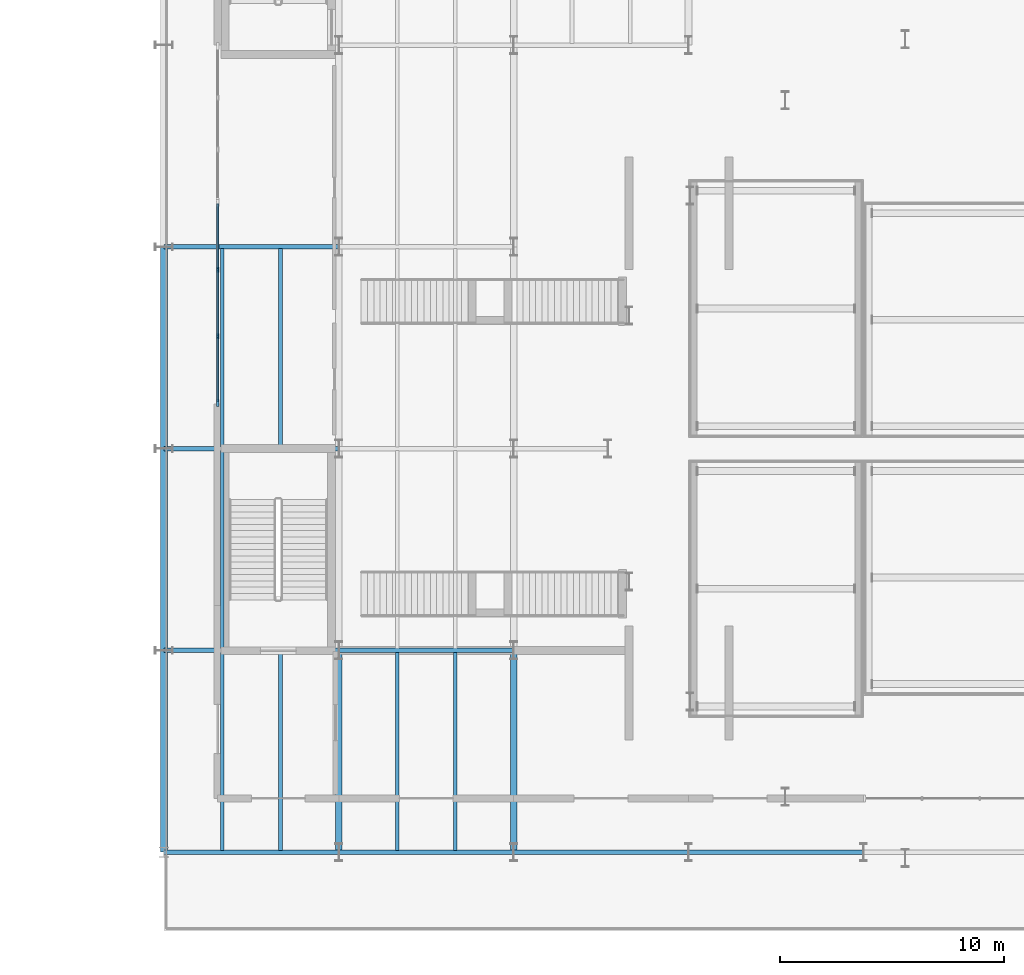
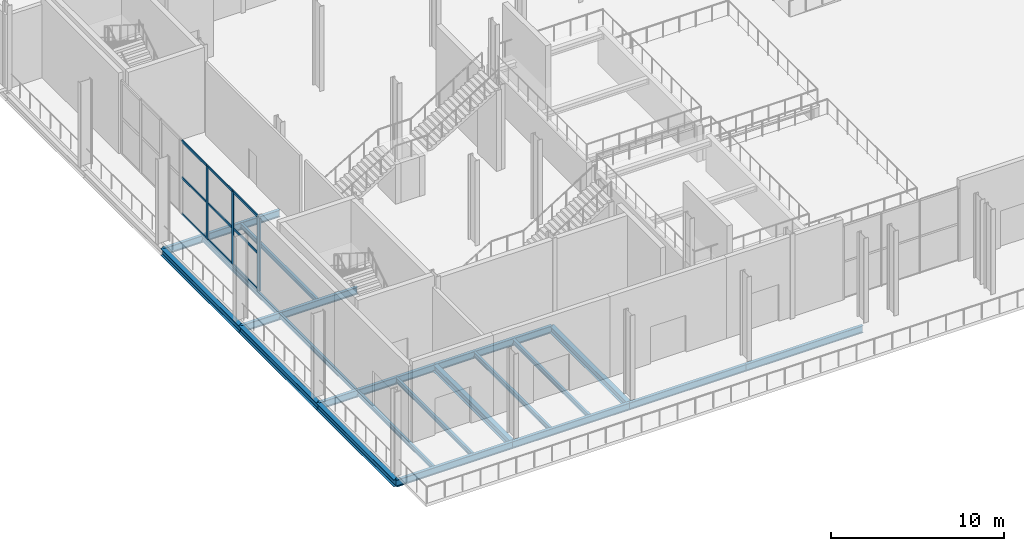
# One storey, part 17 of 84: 20 beams, 12 members, 1 element without a shape of its own.
"""IFC4 building model written with IfcOpenShell, lengths in metres."""

import ifcopenshell
import ifcopenshell.guid

model = None  # the IFC model being written
_history = None  # IfcOwnerHistory: only IFC2X3 demands one
_inside = {}  # id of a spatial element -> (the spatial element, [elements in it])
_under = {}  # id of a project, library or spatial element -> (it, [spatial elements below it])
_declared = {}  # id of a project -> (the project, [libraries it declares])
_typed = {}  # id of a type object -> (the type object, [elements of that type])
_made_of = {}  # id of a material, layer set ... -> (it, [elements and type objects made of it])


def new_model(schema):
    """Start an empty IFC model of exactly this schema.

    Asked for "IFC4X3", IfcOpenShell would pick the latest addendum, in which some entities
    have other attributes; the version numbers below select the first issue.
    IFC2X3 requires an IfcOwnerHistory on every rooted entity: one is made here for all.
    """
    global model, _history
    if schema == "IFC4X3":
        model = ifcopenshell.file(schema_version=(4, 3, 0, 0))
    else:
        model = ifcopenshell.file(schema=schema)
    _inside.clear()
    _under.clear()
    _declared.clear()
    _typed.clear()
    _made_of.clear()
    _history = None
    if model.schema == "IFC2X3":
        org = make("IfcOrganization", Name="unknown")
        user = make(
            "IfcPersonAndOrganization",
            ThePerson=make("IfcPerson", FamilyName="unknown"),
            TheOrganization=org,
        )
        app = make(
            "IfcApplication",
            ApplicationDeveloper=org,
            Version="unknown",
            ApplicationFullName="unknown",
            ApplicationIdentifier="unknown",
        )
        _history = make(
            "IfcOwnerHistory",
            OwningUser=user,
            OwningApplication=app,
            ChangeAction="ADDED",
            CreationDate=0,
        )
    return model


def make(cls, **values):
    """One entity of the class cls with the attributes given. An attribute that is None is left unset."""
    return model.create_entity(
        cls, **{name: value for name, value in values.items() if value is not None}
    )


def rooted(cls, **values):
    """An entity with a GlobalId (a new one), such as an element, a storey or a relation."""
    return make(cls, GlobalId=ifcopenshell.guid.new(), OwnerHistory=_history, **values)


def si_unit(unit_type, name, prefix=None):
    """IfcSIUnit, for example si_unit("LENGTHUNIT", "METRE", prefix="MILLI")."""
    return make("IfcSIUnit", UnitType=unit_type, Prefix=prefix, Name=name)


def assignment(units):
    """IfcUnitAssignment: the units of a project."""
    return None if units is None else make("IfcUnitAssignment", Units=units)


def point(xyz):
    """IfcCartesianPoint."""
    return None if xyz is None else make("IfcCartesianPoint", Coordinates=xyz)


def direction(xyz):
    """IfcDirection."""
    return None if xyz is None else make("IfcDirection", DirectionRatios=xyz)


def frame(location, z_axis=None, x_axis=None):
    """IfcAxis2Placement3D, a coordinate frame: its origin and axes. An axis left out is left unset."""
    return make(
        "IfcAxis2Placement3D",
        Location=point(location),
        Axis=direction(z_axis),
        RefDirection=direction(x_axis),
    )


def frame_2d(location, x_axis=None):
    """IfcAxis2Placement2D, a coordinate frame in the plane: its origin and x axis."""
    return make(
        "IfcAxis2Placement2D", Location=point(location), RefDirection=direction(x_axis)
    )


def origin():
    """The frame at (0, 0, 0) with its axes left unset."""
    return frame((0.0, 0.0, 0.0))


def origin_2d():
    """The frame at (0, 0) in the plane with its x axis left unset."""
    return frame_2d((0.0, 0.0))


def place(relative_to, where):
    """IfcLocalPlacement: puts the frame where relative to a parent placement (None: the world)."""
    return make(
        "IfcLocalPlacement", PlacementRelTo=relative_to, RelativePlacement=where
    )


def context(
    kind, dimensions, precision=None, world=None, true_north=None, identifier=None
):
    """IfcGeometricRepresentationContext, for example the 3D "Model" context."""
    return make(
        "IfcGeometricRepresentationContext",
        ContextIdentifier=identifier,
        ContextType=kind,
        CoordinateSpaceDimension=dimensions,
        Precision=precision,
        WorldCoordinateSystem=world,
        TrueNorth=true_north,
    )


def subcontext(parent, identifier, kind, view, scale=None):
    """IfcGeometricRepresentationSubContext, for example "Body" below "Model"."""
    return make(
        "IfcGeometricRepresentationSubContext",
        ContextIdentifier=identifier,
        ContextType=kind,
        ParentContext=parent,
        TargetScale=scale,
        TargetView=view,
    )


def project(units=None, contexts=None):
    """IfcProject with its units and contexts."""
    return rooted(
        "IfcProject",
        Name="project",
        RepresentationContexts=contexts,
        UnitsInContext=assignment(units),
    )


def spatial(cls, under=None, at=None, **own):
    """A site, building, storey or space (cls), placed at a placement, below another one or the project."""
    s = rooted(cls, ObjectPlacement=at, **own)
    if under is not None:
        _under.setdefault(under.id(), (under, []))[1].append(s)
    return s


def profile(cls, at=None, kind="AREA", **sizes):
    """A parametric profile (cls). Its sizes go by their IFC names, for example OverallWidth=200.0."""
    return make(cls, ProfileType=kind, Position=at, **sizes)


def rectangle(**sizes):
    """IfcRectangleProfileDef."""
    return profile("IfcRectangleProfileDef", **sizes)


def i_section(**sizes):
    """IfcIShapeProfileDef."""
    return profile("IfcIShapeProfileDef", **sizes)


def extrude(swept, where, along, depth):
    """IfcExtrudedAreaSolid: the profile swept, set in the frame where, extruded along a direction by depth."""
    return make(
        "IfcExtrudedAreaSolid",
        SweptArea=swept,
        Position=where,
        ExtrudedDirection=direction(along),
        Depth=depth,
    )


def shape(context_of_items, identifier, shape_type, items):
    """IfcShapeRepresentation: the items that make up one representation, for example the "Body"."""
    return make(
        "IfcShapeRepresentation",
        ContextOfItems=context_of_items,
        RepresentationIdentifier=identifier,
        RepresentationType=shape_type,
        Items=items,
    )


def material(Name=None, Category=None):
    """IfcMaterial."""
    return make("IfcMaterial", Name=Name, Category=Category)


def layer(
    of_material, thickness, ventilated=None, Name=None, Category=None, Priority=None
):
    """IfcMaterialLayer: one layer of a wall or slab, of a material (None: an air gap)."""
    return make(
        "IfcMaterialLayer",
        Material=of_material,
        LayerThickness=thickness,
        IsVentilated=ventilated,
        Name=Name,
        Category=Category,
        Priority=Priority,
    )


def layer_set(layers, Name=None):
    """IfcMaterialLayerSet."""
    return make("IfcMaterialLayerSet", MaterialLayers=layers, LayerSetName=Name)


def material_profile(
    of_material, cross_section, Name=None, Category=None, Priority=None
):
    """IfcMaterialProfile: a cross section and its material."""
    return make(
        "IfcMaterialProfile",
        Name=Name,
        Material=of_material,
        Profile=cross_section,
        Priority=Priority,
        Category=Category,
    )


def profile_set(profiles, Name=None, composite=None):
    """IfcMaterialProfileSet."""
    return make(
        "IfcMaterialProfileSet",
        Name=Name,
        MaterialProfiles=profiles,
        CompositeProfile=composite,
    )


def made_of(thing, what):
    """Note that an element or type object is made of a material, layer set ...; save() writes the relation."""
    if what is not None:
        _made_of.setdefault(what.id(), (what, []))[1].append(thing)
    return thing


def type_object(cls, material=None, **own):
    """A type object (cls), such as IfcWallType, which elements share."""
    return made_of(rooted(cls, **own), material)


def element(
    cls,
    number,
    at=None,
    inside=None,
    cuts=None,
    type_object=None,
    material=None,
    context=None,
    identifier="Body",
    shape_type=None,
    held_by="IfcProductDefinitionShape",
    body=None,
    shapes=None,
    **own,
):
    """One element of the class cls, such as IfcWall. Its Tag is "e" and its number.

    at: its placement. inside: the storey or other place that contains it. cuts: it is an
    opening in that element (IfcRelVoidsElement). A single representation is given by context,
    identifier, shape_type and body (its items); several are given by shapes. held_by: the class
    of the entity that holds the representations. save() writes the other relations.
    """
    e = rooted(cls, Tag="e%d" % number, ObjectPlacement=at, **own)
    if body is not None:
        shapes = [shape(context, identifier, shape_type, body)]
    if shapes is not None:
        e.Representation = make(held_by, Representations=shapes)
    if inside is not None:
        _inside.setdefault(inside.id(), (inside, []))[1].append(e)
    if cuts is not None:
        rooted(
            "IfcRelVoidsElement", RelatingBuildingElement=cuts, RelatedOpeningElement=e
        )
    if type_object is not None:
        _typed.setdefault(type_object.id(), (type_object, []))[1].append(e)
    return made_of(e, material)


def aggregate(whole, parts):
    """IfcRelAggregates: a whole, such as a stair, and the parts it consists of."""
    return rooted("IfcRelAggregates", RelatingObject=whole, RelatedObjects=parts)


def save(model, path):
    """Write the relations noted so far, then the file.

    IfcRelAggregates (storeys below a building ...), IfcRelContainedInSpatialStructure (elements
    in a storey), IfcRelDefinesByType, IfcRelAssociatesMaterial and IfcRelDeclares: one each for
    every whole, place, type object, material and project.
    """
    for whole, parts in _under.values():
        aggregate(whole, parts)
    for where, things in _inside.values():
        rooted(
            "IfcRelContainedInSpatialStructure",
            RelatedElements=things,
            RelatingStructure=where,
        )
    for kind, things in _typed.values():
        rooted("IfcRelDefinesByType", RelatedObjects=things, RelatingType=kind)
    for what, things in _made_of.values():
        rooted("IfcRelAssociatesMaterial", RelatedObjects=things, RelatingMaterial=what)
    for by, libraries in _declared.values():
        rooted("IfcRelDeclares", RelatingContext=by, RelatedDefinitions=libraries)
    model.write(path)


model = new_model("IFC4")

# Units and contexts
model_context = context("Model", 3, precision=1e-05, world=origin(), true_north=direction((0.0, 1.0)))
body_context = subcontext(model_context, "Body", "Model", "MODEL_VIEW")
ifc_project = project(units=[si_unit("LENGTHUNIT", "METRE"), si_unit("AREAUNIT", "SQUARE_METRE"), si_unit("VOLUMEUNIT", "CUBIC_METRE"), si_unit("PLANEANGLEUNIT", "RADIAN"), si_unit("MASSUNIT", "GRAM", prefix="KILO")], contexts=[model_context])

# Site, building, storey
site_placement = place(None, origin())
site = spatial("IfcSite", under=ifc_project, at=site_placement, CompositionType="ELEMENT")
building_placement = place(site_placement, origin())
building = spatial("IfcBuilding", under=site, at=building_placement, Name="Sefraquen Railside Congress Hotel", CompositionType="ELEMENT")
storey_placement = place(building_placement, origin())
storey = spatial("IfcBuildingStorey", under=building, at=storey_placement, Name="L00", CompositionType="ELEMENT", Elevation=0.0)

# Beams
ifc_material_1 = material(Name="Steel S355JR", Category="steel")
ifc_material_profile_1 = material_profile(ifc_material_1, i_section(OverallWidth=0.199951171875, OverallDepth=0.5, WebThickness=0.01025390625, FlangeThickness=0.01611328125, FilletRadius=0.02099609375, at=origin_2d()), Name="IPE 500")
ifc_profile_set_1 = profile_set([ifc_material_profile_1], Name="Steel S355JR")
beam_type_1 = type_object("IfcBeamType", Name="TB-BM-500", PredefinedType="BEAM", material=ifc_profile_set_1)
for number, where, z_axis, x_axis, name in (
    (1, (25.199951171875, 9.0, -0.64990234375), (1.0, 0.0, 0.0), (0.0, 1.0, 0.0), "Primary girder BM-L00-0001"),
    (2, (33.0, 9.0, -0.64990234375), (1.0, 0.0, 0.0), (0.0, 1.0, 0.0), "Primary girder BM-L00-0002"),
    (3, (40.800048828125, 9.0, -0.64990234375), (1.0, 0.0, 0.0), (0.0, 1.0, 0.0), "Primary girder BM-L00-0003"),
):
    element("IfcBeam", number, at=place(storey_placement, frame(where, z_axis=z_axis, x_axis=x_axis)), inside=storey, type_object=beam_type_1, Name=name, PredefinedType="BEAM", context=body_context, shape_type="SweptSolid", body=[
        extrude(i_section(OverallWidth=0.199951171875, OverallDepth=0.5, WebThickness=0.01025390625, FlangeThickness=0.01611328125, FilletRadius=0.02099609375, at=origin_2d()), origin(), (0.0, 0.0, 1.0), 7.800048828125),
    ])
beam_placement = place(storey_placement, frame((48.60009765625, 9.0, -0.64990234375), z_axis=(1.0, 0.0, 0.0), x_axis=(0.0, 1.0, 0.0)))
element("IfcBeam", 4, at=beam_placement, inside=storey, type_object=beam_type_1, Name="Primary girder BM-L00-0004", PredefinedType="BEAM", context=body_context, shape_type="SweptSolid", body=[
    extrude(i_section(OverallWidth=0.199951171875, OverallDepth=0.5, WebThickness=0.01025390625, FlangeThickness=0.01611328125, FilletRadius=0.02099609375, at=origin_2d()), origin(), (0.0, 0.0, 1.0), 7.7998046875),
])
for number, where, z_axis, x_axis, name in (
    (5, (25.199951171875, 18.0, -0.64990234375), (1.0, 0.0, 0.0), (0.0, 1.0, 0.0), "Primary girder BM-L00-0017"),
    (6, (33.0, 18.0, -0.64990234375), (1.0, 0.0, 0.0), (0.0, 1.0, 0.0), "Primary girder BM-L00-0018"),
    (7, (25.199951171875, 27.0, -0.64990234375), (1.0, 0.0, 0.0), (0.0, 1.0, 0.0), "Primary girder BM-L00-0027"),
    (8, (25.199951171875, 36.0, -0.64990234375), (1.0, 0.0, 0.0), (0.0, 1.0, 0.0), "Primary girder BM-L00-0034"),
):
    element("IfcBeam", number, at=place(storey_placement, frame(where, z_axis=z_axis, x_axis=x_axis)), inside=storey, type_object=beam_type_1, Name=name, PredefinedType="BEAM", context=body_context, shape_type="SweptSolid", body=[
        extrude(i_section(OverallWidth=0.199951171875, OverallDepth=0.5, WebThickness=0.01025390625, FlangeThickness=0.01611328125, FilletRadius=0.02099609375, at=origin_2d()), origin(), (0.0, 0.0, 1.0), 7.800048828125),
    ])
ifc_material_profile_2 = material_profile(ifc_material_1, i_section(OverallWidth=0.300048828125, OverallDepth=0.489990234375, WebThickness=0.011962890625, FlangeThickness=0.02294921875, FilletRadius=0.027099609375, at=origin_2d()), Name="HEA 500")
ifc_profile_set_2 = profile_set([ifc_material_profile_2], Name="Steel S355JR")
beam_type_2 = type_object("IfcBeamType", Name="TB-GIR-500", PredefinedType="T_BEAM", material=ifc_profile_set_2)
for number, where, z_axis, x_axis, name in (
    (9, (25.199951171875, 9.0, -0.64501953125), (0.0, 1.0, 0.0), (-1.0, 0.0, 0.0), "Floor beam BM-L00-0188"),
    (10, (25.199951171875, 18.0, -0.64501953125), (0.0, 1.0, 0.0), (-1.0, 0.0, 0.0), "Floor beam BM-L00-0189"),
    (11, (25.199951171875, 27.0, -0.64501953125), (0.0, 1.0, 0.0), (-1.0, 0.0, 0.0), "Floor beam BM-L00-0190"),
    (12, (33.0, 9.0, -0.64501953125), (0.0, 1.0, 0.0), (-1.0, 0.0, 0.0), "Floor beam BM-L00-0201"),
    (13, (40.800048828125, 9.0, -0.64501953125), (0.0, 1.0, 0.0), (-1.0, 0.0, 0.0), "Floor beam BM-L00-0214"),
):
    element("IfcBeam", number, at=place(storey_placement, frame(where, z_axis=z_axis, x_axis=x_axis)), inside=storey, type_object=beam_type_2, Name=name, PredefinedType="T_BEAM", context=body_context, shape_type="SweptSolid", body=[
        extrude(i_section(OverallWidth=0.300048828125, OverallDepth=0.489990234375, WebThickness=0.011962890625, FlangeThickness=0.02294921875, FilletRadius=0.027099609375, at=origin_2d()), origin(), (0.0, 0.0, 1.0), 9.0),
    ])
ifc_material_profile_3 = material_profile(ifc_material_1, i_section(OverallWidth=0.159912109375, OverallDepth=0.330078125, WebThickness=0.007568359375, FlangeThickness=0.011474609375, FilletRadius=0.01806640625, at=origin_2d()), Name="IPE 330")
ifc_profile_set_3 = profile_set([ifc_material_profile_3], Name="Steel S355JR")
beam_type_3 = type_object("IfcBeamType", Name="TB-JST-330", PredefinedType="JOIST", material=ifc_profile_set_3)
for number, where, z_axis, x_axis, name in (
    (14, (27.800048828125, 9.080078125, -0.56494140625), (0.0, 1.0, 0.0), (-1.0, 0.0, 0.0), "Composite floor joist BM-L00-J0027"),
    (15, (30.39990234375, 9.080078125, -0.56494140625), (0.0, 1.0, 0.0), (-1.0, 0.0, 0.0), "Composite floor joist BM-L00-J0028"),
    (16, (27.800048828125, 18.080078125, -0.56494140625), (0.0, 1.0, 0.0), (-1.0, 0.0, 0.0), "Composite floor joist BM-L00-J0029"),
    (17, (27.800048828125, 27.080078125, -0.56494140625), (0.0, 1.0, 0.0), (-1.0, 0.0, 0.0), "Composite floor joist BM-L00-J0030"),
    (18, (30.39990234375, 27.080078125, -0.56494140625), (0.0, 1.0, 0.0), (-1.0, 0.0, 0.0), "Composite floor joist BM-L00-J0031"),
    (19, (35.60009765625, 9.080078125, -0.56494140625), (0.0, 1.0, 0.0), (-1.0, 0.0, 0.0), "Composite floor joist BM-L00-J0044"),
    (20, (38.199951171875, 9.080078125, -0.56494140625), (0.0, 1.0, 0.0), (-1.0, 0.0, 0.0), "Composite floor joist BM-L00-J0045"),
):
    element("IfcBeam", number, at=place(storey_placement, frame(where, z_axis=z_axis, x_axis=x_axis)), inside=storey, type_object=beam_type_3, Name=name, PredefinedType="JOIST", context=body_context, shape_type="SweptSolid", body=[
        extrude(i_section(OverallWidth=0.159912109375, OverallDepth=0.330078125, WebThickness=0.007568359375, FlangeThickness=0.011474609375, FilletRadius=0.01806640625, at=origin_2d()), origin(), (0.0, 0.0, 1.0), 8.83984375),
    ])

# Curtain wall, members
ifc_material_2 = material(Name="Thermally broken anodised aluminium and low-E double glazing", Category="aluminium")
ifc_layer = layer(ifc_material_2, 0.199951171875)
ifc_layer_set = layer_set([ifc_layer], Name="Thermally broken anodised aluminium and low-E double glazing")
curtain_wall_type = type_object("IfcCurtainWallType", Name="TCW-UCW-04", PredefinedType="USERDEFINED", material=ifc_layer_set)
curtain_wall_placement = place(storey_placement, origin())
curtain_wall = element("IfcCurtainWall", 21, at=curtain_wall_placement, inside=storey, type_object=curtain_wall_type, Name="Congress west colonnade curtain wall UCW-04", ObjectType="UNITISED CURTAIN WALL", PredefinedType="USERDEFINED")
ifc_material_3 = material(Name="Thermally broken anodised aluminium 6063-T6", Category="aluminium")
ifc_material_profile_4 = material_profile(ifc_material_3, rectangle(XDim=0.074951171875, YDim=0.219970703125, at=origin_2d()), Name="CWM 75x220")
ifc_profile_set_4 = profile_set([ifc_material_profile_4], Name="Thermally broken anodised aluminium 6063-T6")
member_type_1 = type_object("IfcMemberType", Name="TM-CWM-04", PredefinedType="MULLION", material=ifc_profile_set_4)
member_1_placement = place(storey_placement, frame((27.60009765625, 32.01318359375, 0.0), z_axis=(0.0, 0.0, 1.0), x_axis=(1.0, 0.0, 0.0)))
member_1 = element("IfcMember", 22, at=member_1_placement, type_object=member_type_1, Name="CW-L00-004 mullion 2", PredefinedType="MULLION", context=body_context, shape_type="SweptSolid", body=[
    extrude(rectangle(XDim=0.074951171875, YDim=0.219970703125, at=origin_2d()), origin(), (0.0, 0.0, 1.0), 5.14990234375),
])
member_2_placement = place(storey_placement, frame((27.60009765625, 34.98681640625, 0.0), z_axis=(0.0, 0.0, 1.0), x_axis=(1.0, 0.0, 0.0)))
member_2 = element("IfcMember", 23, at=member_2_placement, type_object=member_type_1, Name="CW-L00-004 mullion 3", PredefinedType="MULLION", context=body_context, shape_type="SweptSolid", body=[
    extrude(rectangle(XDim=0.074951171875, YDim=0.219970703125, at=origin_2d()), origin(), (0.0, 0.0, 1.0), 5.14990234375),
])
ifc_material_profile_5 = material_profile(ifc_material_3, rectangle(XDim=0.094970703125, YDim=0.300048828125, at=origin_2d()), Name="CWM 95x300")
ifc_profile_set_5 = profile_set([ifc_material_profile_5], Name="Thermally broken anodised aluminium 6063-T6")
member_type_2 = type_object("IfcMemberType", Name="TM-CWM-08", PredefinedType="MULLION", material=ifc_profile_set_5)
member_3_placement = place(storey_placement, frame((27.60009765625, 29.0400390625, 0.0), z_axis=(0.0, 0.0, 1.0), x_axis=(1.0, 0.0, 0.0)))
member_3 = element("IfcMember", 24, at=member_3_placement, type_object=member_type_2, Name="CW-L00-004 mullion 1", PredefinedType="MULLION", context=body_context, shape_type="SweptSolid", body=[
    extrude(rectangle(XDim=0.094970703125, YDim=0.300048828125, at=origin_2d()), origin(), (0.0, 0.0, 1.0), 5.14990234375),
])
ifc_material_profile_6 = material_profile(ifc_material_3, rectangle(XDim=0.074951171875, YDim=0.1650390625, at=origin_2d()), Name="CWT 75x165")
ifc_profile_set_6 = profile_set([ifc_material_profile_6], Name="Thermally broken anodised aluminium 6063-T6")
member_type_3 = type_object("IfcMemberType", Name="TM-CWT-04", PredefinedType="USERDEFINED", material=ifc_profile_set_6)
member_4_placement = place(storey_placement, frame((27.60009765625, 29.0849609375, 0.0), z_axis=(0.0, 1.0, 0.0), x_axis=(-1.0, 0.0, 0.0)))
member_4 = element("IfcMember", 25, at=member_4_placement, type_object=member_type_3, Name="CW-L00-004 transom 1.1", ObjectType="TRANSOM", PredefinedType="USERDEFINED", context=body_context, shape_type="SweptSolid", body=[
    extrude(rectangle(XDim=0.074951171875, YDim=0.1650390625, at=origin_2d()), origin(), (0.0, 0.0, 1.0), 2.88330078125),
])
member_5_placement = place(storey_placement, frame((27.60009765625, 32.058349609375, 0.0), z_axis=(0.0, 1.0, 0.0), x_axis=(-1.0, 0.0, 0.0)))
member_5 = element("IfcMember", 26, at=member_5_placement, type_object=member_type_3, Name="CW-L00-004 transom 1.2", ObjectType="TRANSOM", PredefinedType="USERDEFINED", context=body_context, shape_type="SweptSolid", body=[
    extrude(rectangle(XDim=0.074951171875, YDim=0.1650390625, at=origin_2d()), origin(), (0.0, 0.0, 1.0), 2.88330078125),
])
member_6_placement = place(storey_placement, frame((27.60009765625, 35.03173828125, 0.0), z_axis=(0.0, 1.0, 0.0), x_axis=(-1.0, 0.0, 0.0)))
member_6 = element("IfcMember", 27, at=member_6_placement, type_object=member_type_3, Name="CW-L00-004 transom 1.3", ObjectType="TRANSOM", PredefinedType="USERDEFINED", context=body_context, shape_type="SweptSolid", body=[
    extrude(rectangle(XDim=0.074951171875, YDim=0.1650390625, at=origin_2d()), origin(), (0.0, 0.0, 1.0), 2.88330078125),
])
member_7_placement = place(storey_placement, frame((27.60009765625, 29.0849609375, 2.574951171875), z_axis=(0.0, 1.0, 0.0), x_axis=(-1.0, 0.0, 0.0)))
member_7 = element("IfcMember", 28, at=member_7_placement, type_object=member_type_3, Name="CW-L00-004 transom 2.1", ObjectType="TRANSOM", PredefinedType="USERDEFINED", context=body_context, shape_type="SweptSolid", body=[
    extrude(rectangle(XDim=0.074951171875, YDim=0.1650390625, at=origin_2d()), origin(), (0.0, 0.0, 1.0), 2.88330078125),
])
member_8_placement = place(storey_placement, frame((27.60009765625, 32.058349609375, 2.574951171875), z_axis=(0.0, 1.0, 0.0), x_axis=(-1.0, 0.0, 0.0)))
member_8 = element("IfcMember", 29, at=member_8_placement, type_object=member_type_3, Name="CW-L00-004 transom 2.2", ObjectType="TRANSOM", PredefinedType="USERDEFINED", context=body_context, shape_type="SweptSolid", body=[
    extrude(rectangle(XDim=0.074951171875, YDim=0.1650390625, at=origin_2d()), origin(), (0.0, 0.0, 1.0), 2.88330078125),
])
member_9_placement = place(storey_placement, frame((27.60009765625, 35.03173828125, 2.574951171875), z_axis=(0.0, 1.0, 0.0), x_axis=(-1.0, 0.0, 0.0)))
member_9 = element("IfcMember", 30, at=member_9_placement, type_object=member_type_3, Name="CW-L00-004 transom 2.3", ObjectType="TRANSOM", PredefinedType="USERDEFINED", context=body_context, shape_type="SweptSolid", body=[
    extrude(rectangle(XDim=0.074951171875, YDim=0.1650390625, at=origin_2d()), origin(), (0.0, 0.0, 1.0), 2.88330078125),
])
member_10_placement = place(storey_placement, frame((27.60009765625, 29.0849609375, 5.14990234375), z_axis=(0.0, 1.0, 0.0), x_axis=(-1.0, 0.0, 0.0)))
member_10 = element("IfcMember", 31, at=member_10_placement, type_object=member_type_3, Name="CW-L00-004 transom 3.1", ObjectType="TRANSOM", PredefinedType="USERDEFINED", context=body_context, shape_type="SweptSolid", body=[
    extrude(rectangle(XDim=0.074951171875, YDim=0.1650390625, at=origin_2d()), origin(), (0.0, 0.0, 1.0), 2.88330078125),
])
member_11_placement = place(storey_placement, frame((27.60009765625, 32.058349609375, 5.14990234375), z_axis=(0.0, 1.0, 0.0), x_axis=(-1.0, 0.0, 0.0)))
member_11 = element("IfcMember", 32, at=member_11_placement, type_object=member_type_3, Name="CW-L00-004 transom 3.2", ObjectType="TRANSOM", PredefinedType="USERDEFINED", context=body_context, shape_type="SweptSolid", body=[
    extrude(rectangle(XDim=0.074951171875, YDim=0.1650390625, at=origin_2d()), origin(), (0.0, 0.0, 1.0), 2.88330078125),
])
member_12_placement = place(storey_placement, frame((27.60009765625, 35.03173828125, 5.14990234375), z_axis=(0.0, 1.0, 0.0), x_axis=(-1.0, 0.0, 0.0)))
member_12 = element("IfcMember", 33, at=member_12_placement, type_object=member_type_3, Name="CW-L00-004 transom 3.3", ObjectType="TRANSOM", PredefinedType="USERDEFINED", context=body_context, shape_type="SweptSolid", body=[
    extrude(rectangle(XDim=0.074951171875, YDim=0.1650390625, at=origin_2d()), origin(), (0.0, 0.0, 1.0), 2.88330078125),
])
aggregate(curtain_wall, [member_3, member_1, member_2, member_4, member_5, member_6, member_7, member_8, member_9, member_10, member_11, member_12])

save(model, "model.ifc")
